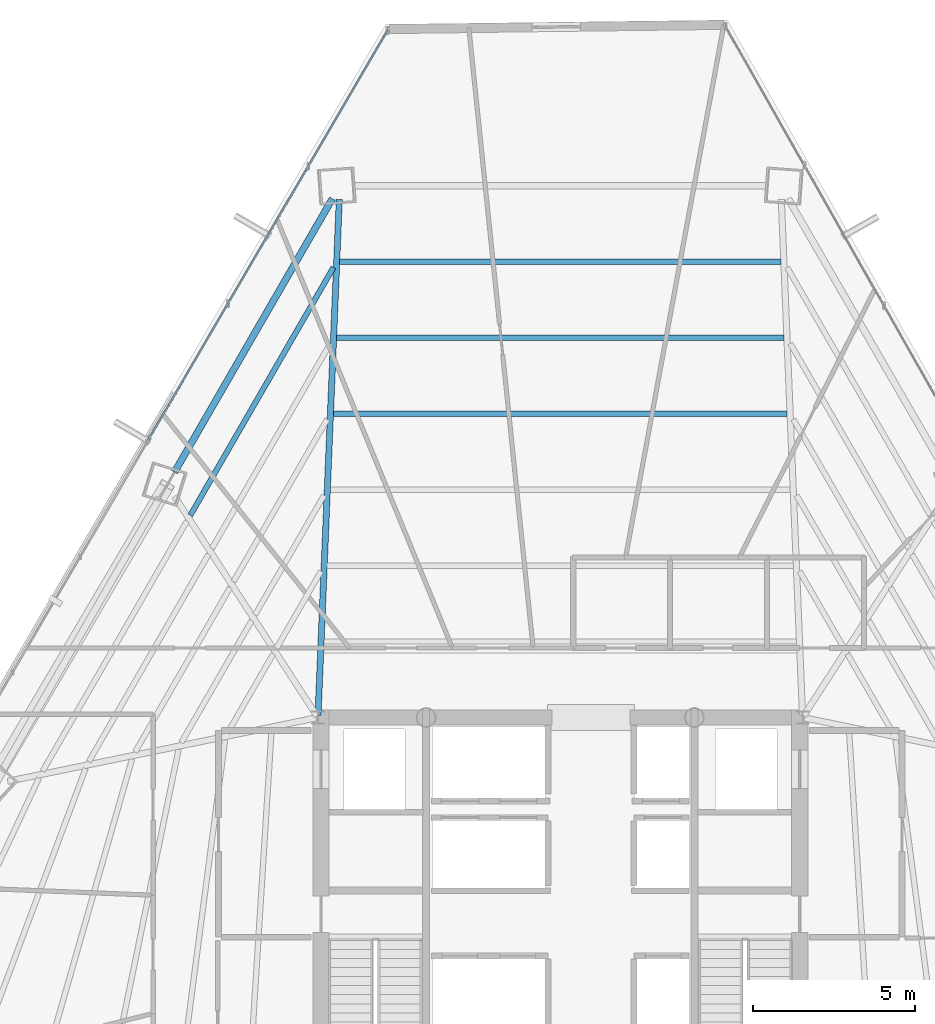
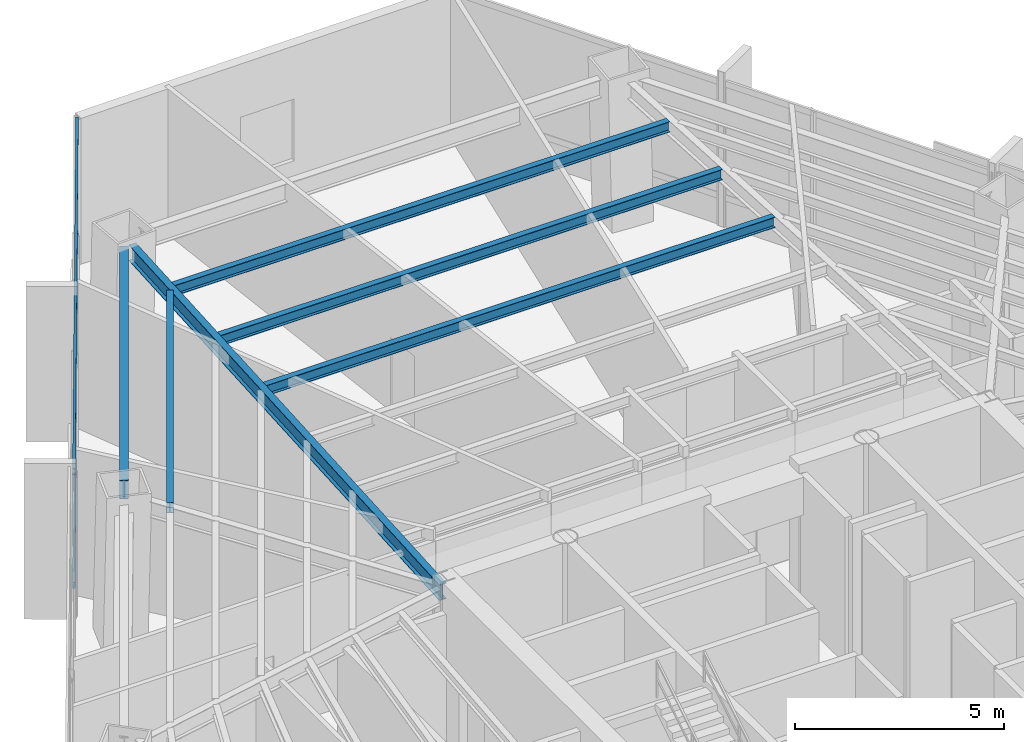
# One storey, part 25 of 37: 6 beams, 2 members, 1 element without a shape of its own.
"""IFC4 building model written with IfcOpenShell, lengths in metres."""

from ifc_helpers import new_model, si_unit, direction, frame, origin, origin_2d, place, context, subcontext, project, spatial, hollow_rectangle, i_section, extrude, source, transform, mapped, material, material_profile, profile_set, type_object, type_shapes, element, aggregate, save


model = new_model("IFC4")

# Units and contexts
model_context = context("Model", 3, precision=1e-05, world=origin(), true_north=direction((0.0, 1.0)))
body_context = subcontext(model_context, "Body", "Model", "MODEL_VIEW")
ifc_project = project(units=[si_unit("LENGTHUNIT", "METRE"), si_unit("AREAUNIT", "SQUARE_METRE"), si_unit("VOLUMEUNIT", "CUBIC_METRE"), si_unit("PLANEANGLEUNIT", "RADIAN"), si_unit("MASSUNIT", "GRAM", prefix="KILO")], contexts=[model_context])

# Site, building, storey
site_placement = place(None, origin())
site = spatial("IfcSite", under=ifc_project, at=site_placement, CompositionType="ELEMENT")
building_placement = place(site_placement, origin())
building = spatial("IfcBuilding", under=site, at=building_placement, Name="Caelisora Broadcast Tower", CompositionType="ELEMENT")
storey_placement = place(building_placement, frame((0.0, 0.0, 127.300048828125)))
storey = spatial("IfcBuildingStorey", under=building, at=storey_placement, Name="L33", CompositionType="ELEMENT", Elevation=127.300048828125)

# Beams
ifc_material_1 = material(Name="Steel Grade 350 (AS/NZS 3679.1)", Category="steel")
ifc_material_profile_1 = material_profile(ifc_material_1, i_section(OverallWidth=0.208984375, OverallDepth=0.532958984375, WebThickness=0.01025390625, FlangeThickness=0.015625, at=origin_2d()), Name="Steel Grade 350 (AS/NZS 3679.1)")
ifc_profile_set_1 = profile_set([ifc_material_profile_1], Name="Steel Grade 350 (AS/NZS 3679.1)")
beam_type_1 = type_object("IfcBeamType", Name="PG05", PredefinedType="BEAM", material=ifc_profile_set_1)
shared_shape_1 = source(origin(), body_context, "Body", "SweptSolid", [
    extrude(i_section(OverallWidth=0.208984375, OverallDepth=0.532958984375, WebThickness=0.01025390625, FlangeThickness=0.015625, at=origin_2d()), origin(), (0.0, 0.0, 1.0), 9.770263671875),
])
type_shapes(beam_type_1, [shared_shape_1])
beam_1_placement = place(storey_placement, frame((30.947509765625, 46.056884765625, 3.9833984375), z_axis=(-0.50001446288, -0.866017053476, 0.0), x_axis=(0.866017053476, -0.50001446288, 0.0)))
element("IfcBeam", 1, at=beam_1_placement, inside=storey, type_object=beam_type_1, Name="L33 beam PG05", PredefinedType="BEAM", context=body_context, shape_type="MappedRepresentation", body=[
    mapped(shared_shape_1, transform((0.0, 0.0, 0.0), scale=1.0)),
])
ifc_material_profile_2 = material_profile(ifc_material_1, i_section(OverallWidth=0.19091796875, OverallDepth=0.46044921875, WebThickness=0.010009765625, FlangeThickness=0.01611328125, at=origin_2d()), Name="Steel Grade 350 (AS/NZS 3679.1)")
ifc_profile_set_2 = profile_set([ifc_material_profile_2], Name="Steel Grade 350 (AS/NZS 3679.1)")
beam_type_2 = type_object("IfcBeamType", Name="PG06", PredefinedType="BEAM", material=ifc_profile_set_2)
shared_shape_2 = source(origin(), body_context, "Body", "SweptSolid", [
    extrude(i_section(OverallWidth=0.19091796875, OverallDepth=0.46044921875, WebThickness=0.010009765625, FlangeThickness=0.01611328125, at=origin_2d()), origin(), (0.0, 0.0, 1.0), 15.989501953125),
])
type_shapes(beam_type_2, [shared_shape_2])
beam_2_placement = place(storey_placement, frame((30.50244140625, 30.059814453125, 4.019775390625), z_axis=(0.041149139288, 0.999153015477, 0.0), x_axis=(-0.999153015477, 0.041149139288, 0.0)))
element("IfcBeam", 2, at=beam_2_placement, inside=storey, type_object=beam_type_2, Name="L33 beam PG06", PredefinedType="BEAM", context=body_context, shape_type="MappedRepresentation", body=[
    mapped(shared_shape_2, transform((0.0, 0.0, 0.0), scale=1.0)),
])
ifc_material_profile_3 = material_profile(ifc_material_1, i_section(OverallWidth=0.166015625, OverallDepth=0.30712890625, WebThickness=0.006591796875, FlangeThickness=0.01171875, at=origin_2d()), Name="Steel Grade 350 (AS/NZS 3679.1)")
ifc_profile_set_3 = profile_set([ifc_material_profile_3], Name="Steel Grade 350 (AS/NZS 3679.1)")
beam_type_3 = type_object("IfcBeamType", Name="SB03", PredefinedType="JOIST", material=ifc_profile_set_3)
shared_shape_3 = source(origin(), body_context, "Body", "SweptSolid", [
    extrude(i_section(OverallWidth=0.166015625, OverallDepth=0.30712890625, WebThickness=0.006591796875, FlangeThickness=0.01171875, at=origin_2d()), origin(), (0.0, 0.0, 1.0), 14.04052734375),
])
beam_3_placement = place(storey_placement, frame((45.020263671875, 39.403076171875, 4.096435546875), z_axis=(-1.0, 0.0, 0.0), x_axis=(0.0, -1.0, 0.0)))
element("IfcBeam", 3, at=beam_3_placement, inside=storey, type_object=beam_type_3, Name="L33 beam SB03", PredefinedType="JOIST", context=body_context, shape_type="MappedRepresentation", body=[
    mapped(shared_shape_3, transform((0.0, 0.0, 0.0), scale=1.0)),
])
shared_shape_4 = source(origin(), body_context, "Body", "SweptSolid", [
    extrude(i_section(OverallWidth=0.166015625, OverallDepth=0.30712890625, WebThickness=0.006591796875, FlangeThickness=0.01171875, at=origin_2d()), origin(), (0.0, 0.0, 1.0), 13.8466796875),
])
beam_4_placement = place(storey_placement, frame((44.92333984375, 41.75390625, 4.096435546875), z_axis=(-1.0, 0.0, 0.0), x_axis=(0.0, -1.0, 0.0)))
element("IfcBeam", 4, at=beam_4_placement, inside=storey, type_object=beam_type_3, Name="L33 beam SB03", PredefinedType="JOIST", context=body_context, shape_type="MappedRepresentation", body=[
    mapped(shared_shape_4, transform((0.0, 0.0, 0.0), scale=1.0)),
])
shared_shape_5 = source(origin(), body_context, "Body", "SweptSolid", [
    extrude(i_section(OverallWidth=0.166015625, OverallDepth=0.30712890625, WebThickness=0.006591796875, FlangeThickness=0.01171875, at=origin_2d()), origin(), (0.0, 0.0, 1.0), 13.6533203125),
])
beam_5_placement = place(storey_placement, frame((44.82666015625, 44.1044921875, 4.096435546875), z_axis=(-1.0, 0.0, 0.0), x_axis=(0.0, -1.0, 0.0)))
element("IfcBeam", 5, at=beam_5_placement, inside=storey, type_object=beam_type_3, Name="L33 beam SB03", PredefinedType="JOIST", context=body_context, shape_type="MappedRepresentation", body=[
    mapped(shared_shape_5, transform((0.0, 0.0, 0.0), scale=1.0)),
])
shared_shape_6 = source(origin(), body_context, "Body", "SweptSolid", [
    extrude(i_section(OverallWidth=0.166015625, OverallDepth=0.30712890625, WebThickness=0.006591796875, FlangeThickness=0.01171875, at=origin_2d()), origin(), (0.0, 0.0, 1.0), 8.856201171875),
])
type_shapes(beam_type_3, [shared_shape_3, shared_shape_4, shared_shape_5, shared_shape_6])
beam_6_placement = place(storey_placement, frame((30.9794921875, 43.928955078125, 4.096435546875), z_axis=(-0.500011191356, -0.866018942356, 0.0), x_axis=(0.866018942356, -0.500011191356, 0.0)))
element("IfcBeam", 6, at=beam_6_placement, inside=storey, type_object=beam_type_3, Name="L33 beam SB03", PredefinedType="JOIST", context=body_context, shape_type="MappedRepresentation", body=[
    mapped(shared_shape_6, transform((0.0, 0.0, 0.0), scale=1.0)),
])

# Curtain wall, members
ifc_material_2 = material(Name="Unitised Aluminium and Low-E Glass Curtain Wall", Category="glass")
curtain_wall_type = type_object("IfcCurtainWallType", Name="CW-SKY", PredefinedType="NOTDEFINED", material=ifc_material_2)
curtain_wall_placement = place(storey_placement, origin())
curtain_wall = element("IfcCurtainWall", 7, at=curtain_wall_placement, inside=storey, type_object=curtain_wall_type, Name="L33 curtain wall CW-SKY", PredefinedType="NOTDEFINED")
ifc_material_3 = material(Name="Aluminium 6063-T6 Anodised Terracotta Bronze", Category="aluminium")
ifc_material_profile_4 = material_profile(ifc_material_3, hollow_rectangle(XDim=0.06494140625, YDim=0.179931640625, WallThickness=0.00341796875, at=origin_2d()), Name="Aluminium 6063-T6 Anodised Terracotta Bronze")
ifc_profile_set_4 = profile_set([ifc_material_profile_4], Name="Aluminium 6063-T6 Anodised Terracotta Bronze")
member_type = type_object("IfcMemberType", Name="CWT-01", PredefinedType="USERDEFINED", material=ifc_profile_set_4)
shared_shape_7 = source(origin(), body_context, "Body", "SweptSolid", [
    extrude(hollow_rectangle(XDim=0.06494140625, YDim=0.179931640625, WallThickness=0.00341796875, at=origin_2d()), origin(), (0.0, 0.0, 1.0), 14.651611328125),
])
type_shapes(member_type, [shared_shape_7])
member_1_placement = place(storey_placement, frame((25.263671875, 38.611572265625, 0.849853515625), z_axis=(0.504524626364, 0.863397302169, 0.0), x_axis=(-0.863397302169, 0.504524626364, 0.0)))
member_1 = element("IfcMember", 8, at=member_1_placement, type_object=member_type, Name="L33-CW-B11 transom #1", ObjectType="TRANSOM", PredefinedType="USERDEFINED", context=body_context, shape_type="MappedRepresentation", body=[
    mapped(shared_shape_7, transform((0.0, 0.0, 0.0), scale=1.0)),
])
member_2_placement = place(storey_placement, frame((25.263671875, 38.611572265625, 4.169921875), z_axis=(0.504524626364, 0.863397302169, 0.0), x_axis=(-0.863397302169, 0.504524626364, 0.0)))
member_2 = element("IfcMember", 9, at=member_2_placement, type_object=member_type, Name="L33-CW-B11 transom #2", ObjectType="TRANSOM", PredefinedType="USERDEFINED", context=body_context, shape_type="MappedRepresentation", body=[
    mapped(shared_shape_7, transform((0.0, 0.0, 0.0), scale=1.0)),
])
aggregate(curtain_wall, [member_1, member_2])

save(model, "model.ifc")
